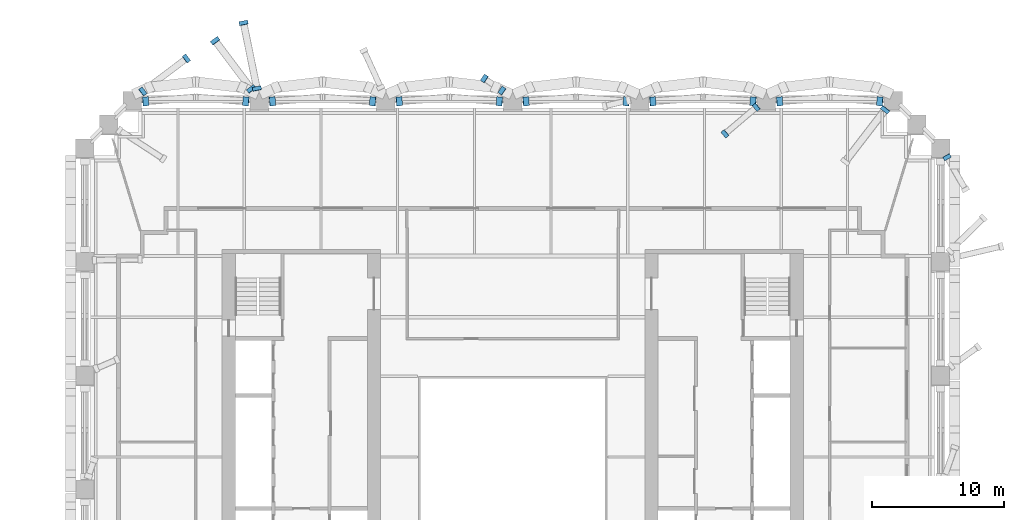
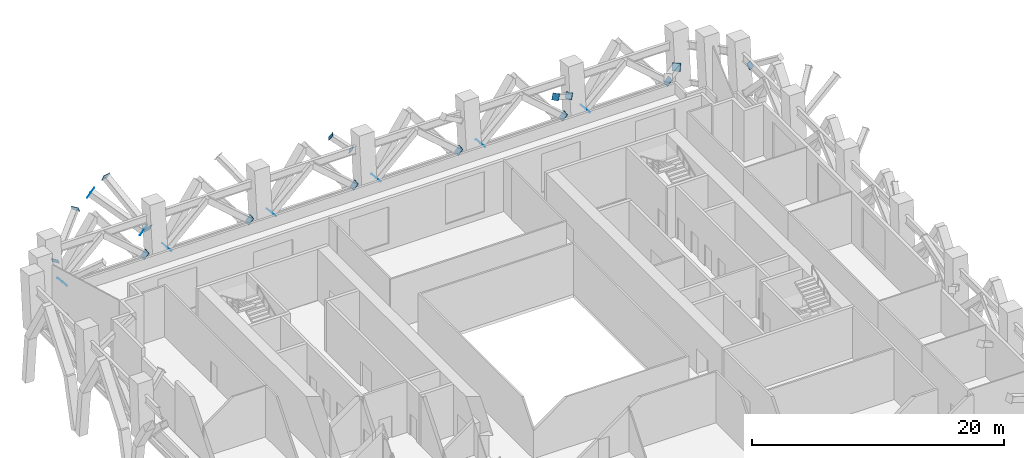
# One storey, part 13 of 19: 24 discrete accessories.
"""IFC4 building model written with IfcOpenShell, lengths in metres."""

from ifc_helpers import new_model, si_unit, direction, frame, origin, origin_2d, place, context, subcontext, project, spatial, rectangle, extrude, material, material_profile, profile_set, type_object, element, save


model = new_model("IFC4")

# Units and contexts
model_context = context("Model", 3, precision=1e-05, world=origin(), true_north=direction((0.0, 1.0)))
body_context = subcontext(model_context, "Body", "Model", "MODEL_VIEW")
ifc_project = project(units=[si_unit("LENGTHUNIT", "METRE"), si_unit("AREAUNIT", "SQUARE_METRE"), si_unit("VOLUMEUNIT", "CUBIC_METRE"), si_unit("PLANEANGLEUNIT", "RADIAN"), si_unit("MASSUNIT", "GRAM", prefix="KILO")], contexts=[model_context])

# Site, building, storey
site_placement = place(None, origin())
site = spatial("IfcSite", under=ifc_project, at=site_placement, CompositionType="ELEMENT")
building_placement = place(site_placement, origin())
building = spatial("IfcBuilding", under=site, at=building_placement, Name="Ogive Exchange Tower", CompositionType="ELEMENT")
storey_placement = place(building_placement, frame((0.0, 0.0, 94.199951171875)))
storey = spatial("IfcBuildingStorey", under=building, at=storey_placement, Name="L20", CompositionType="ELEMENT", Elevation=94.199951171875)

# Discrete accessories
ifc_material = material(Name="Steel ASTM A572 Gr50", Category="steel")
ifc_material_profile_1 = material_profile(ifc_material, rectangle(XDim=0.576904296875, YDim=0.576904296875, at=origin_2d()), Name="PL 577 x 577 x 25")
ifc_profile_set_1 = profile_set([ifc_material_profile_1], Name="Steel ASTM A572 Gr50")
discrete_accessory_type_1 = type_object("IfcDiscreteAccessoryType", Name="Gusset plate 577 x 577 x 25", PredefinedType="USERDEFINED", material=ifc_profile_set_1)
for number, where, z_axis, x_axis, name in (
    (1, (32.875, 32.753173828125, 3.00146484375), (0.418820131593, -0.740240232584, 0.525960165257), (0.870349468157, 0.49243456751, 0.0), "Block-change strut 16 end plate A"),
    (2, (18.447509765625, 36.527099609375, 2.816650390625), (-0.652580205041, -0.545440171377, 0.525960165257), (0.641310134432, -0.767281767981, 0.0), "Block-change strut 18 end plate A"),
    (3, (16.07763671875, 34.5185546875, 4.74267578125), (-0.649110234178, -0.552228109674, 0.523163472322), (0.647978346038, -0.761658757624, 0.0), "Block-change strut 18 end plate B"),
    (4, (-0.802978515625, 37.78271484375, 3.5654296875), (-0.661912172486, 0.457498119219, 0.59377415473), (-0.568580744167, -0.822627459645, 0.0), "Block-change strut 20 end plate A"),
):
    element("IfcDiscreteAccessory", number, at=place(storey_placement, frame(where, z_axis=z_axis, x_axis=x_axis)), inside=storey, type_object=discrete_accessory_type_1, Name=name, ObjectType="GUSSET PLATE", PredefinedType="USERDEFINED", context=body_context, shape_type="SweptSolid", body=[
        extrude(rectangle(XDim=0.576904296875, YDim=0.576904296875, at=origin_2d()), origin(), (0.0, 0.0, 1.0), 0.025146484375),
    ])
discrete_accessory_1_placement = place(storey_placement, frame((-2.142578125, 38.699951171875, 4.750732421875), z_axis=(-0.674109765787, 0.449406510525, 0.586182405032), x_axis=(-0.554700196225, -0.832050294338, 0.0)))
element("IfcDiscreteAccessory", 5, at=discrete_accessory_1_placement, inside=storey, type_object=discrete_accessory_type_1, Name="Block-change strut 20 end plate B", ObjectType="GUSSET PLATE", PredefinedType="USERDEFINED", context=body_context, shape_type="SweptSolid", body=[
    extrude(rectangle(XDim=0.576904296875, YDim=0.576904296875, at=origin_2d()), origin(), (0.0, 0.0, 1.0), 0.02490234375),
])
ifc_material_profile_2 = material_profile(ifc_material, rectangle(XDim=0.6279296875, YDim=0.6279296875, at=origin_2d()), Name="PL 628 x 628 x 25")
ifc_profile_set_2 = profile_set([ifc_material_profile_2], Name="Steel ASTM A572 Gr50")
discrete_accessory_type_2 = type_object("IfcDiscreteAccessoryType", Name="Gusset plate 628 x 628 x 25", PredefinedType="USERDEFINED", material=ifc_profile_set_2)
for number, where, z_axis, x_axis, name in (
    (6, (-28.017578125, 37.7119140625, 2.330078125), (0.685846154529, 0.529081319208, 0.499687912585), (-0.610803454292, 0.791782255563, 0.0), "Block-change strut 23 end plate A"),
    (7, (-24.71484375, 40.20703125, 4.717529296875), (0.694511473604, 0.518438142268, 0.498874438786), (-0.598192606862, 0.801352360136, 0.0), "Block-change strut 23 end plate B"),
):
    element("IfcDiscreteAccessory", number, at=place(storey_placement, frame(where, z_axis=z_axis, x_axis=x_axis)), inside=storey, type_object=discrete_accessory_type_2, Name=name, ObjectType="GUSSET PLATE", PredefinedType="USERDEFINED", context=body_context, shape_type="SweptSolid", body=[
        extrude(rectangle(XDim=0.6279296875, YDim=0.6279296875, at=origin_2d()), origin(), (0.0, 0.0, 1.0), 0.02490234375),
    ])
ifc_material_profile_3 = material_profile(ifc_material, rectangle(XDim=0.678955078125, YDim=0.678955078125, at=origin_2d()), Name="PL 679 x 679 x 25")
ifc_profile_set_3 = profile_set([ifc_material_profile_3], Name="Steel ASTM A572 Gr50")
discrete_accessory_type_3 = type_object("IfcDiscreteAccessoryType", Name="Gusset plate 679 x 679 x 25", PredefinedType="USERDEFINED", material=ifc_profile_set_3)
for number, where, z_axis, x_axis, name in (
    (8, (27.802001953125, 36.9697265625, 0.66796875), (-0.762073496289, 0.058621038176, 0.644831419937), (-0.076696498885, -0.997054485502, 0.0), "Belt truss diagonal 18a end plate A"),
    (9, (20.197998046875, 36.9697265625, 0.66796875), (0.762073496289, 0.058621038176, 0.644831419937), (-0.076696498885, 0.997054485502, 0.0), "Belt truss diagonal 18b end plate A"),
    (10, (18.2021484375, 36.9697265625, 0.66796875), (-0.762073496289, 0.058621038176, 0.644831419937), (-0.076696498885, -0.997054485502, 0.0), "Belt truss diagonal 19a end plate A"),
    (11, (10.597900390625, 36.9697265625, 0.66796875), (0.762073496289, 0.058621038176, 0.644831419937), (-0.076696498885, 0.997054485502, 0.0), "Belt truss diagonal 19b end plate A"),
    (12, (8.60205078125, 36.9697265625, 0.66796875), (-0.762073496289, 0.058621038176, 0.644831419937), (-0.076696498885, -0.997054485502, 0.0), "Belt truss diagonal 20a end plate A"),
):
    element("IfcDiscreteAccessory", number, at=place(storey_placement, frame(where, z_axis=z_axis, x_axis=x_axis)), inside=storey, type_object=discrete_accessory_type_3, Name=name, ObjectType="GUSSET PLATE", PredefinedType="USERDEFINED", context=body_context, shape_type="SweptSolid", body=[
        extrude(rectangle(XDim=0.678955078125, YDim=0.678955078125, at=origin_2d()), origin(), (0.0, 0.0, 1.0), 0.02490234375),
    ])
for number, where, z_axis, x_axis, name in (
    (13, (0.997802734375, 36.9697265625, 0.66796875), (0.766124206155, 0.058186648569, 0.640053134256), (-0.075731260606, 0.997128264652, 0.0), "Belt truss diagonal 20b end plate A"),
    (14, (-0.997802734375, 36.9697265625, 0.66796875), (-0.766124206155, 0.058186648569, 0.640053134256), (-0.075731260606, -0.997128264652, 0.0), "Belt truss diagonal 21a end plate A"),
):
    element("IfcDiscreteAccessory", number, at=place(storey_placement, frame(where, z_axis=z_axis, x_axis=x_axis)), inside=storey, type_object=discrete_accessory_type_3, Name=name, ObjectType="GUSSET PLATE", PredefinedType="USERDEFINED", context=body_context, shape_type="SweptSolid", body=[
        extrude(rectangle(XDim=0.678955078125, YDim=0.678955078125, at=origin_2d()), origin(), (0.0, 0.0, 1.0), 0.025146484375),
    ])
for number, where, z_axis, x_axis, name in (
    (15, (-8.60205078125, 36.9697265625, 0.66796875), (0.762073496289, 0.058621038176, 0.644831419937), (-0.076696498885, 0.997054485502, 0.0), "Belt truss diagonal 21b end plate A"),
    (16, (-10.597900390625, 36.9697265625, 0.66796875), (-0.762073496289, 0.058621038176, 0.644831419937), (-0.076696498885, -0.997054485502, 0.0), "Belt truss diagonal 22a end plate A"),
    (17, (-18.2021484375, 36.9697265625, 0.66796875), (0.762073496289, 0.058621038176, 0.644831419937), (-0.076696498885, 0.997054485502, 0.0), "Belt truss diagonal 22b end plate A"),
    (18, (-20.197998046875, 36.9697265625, 0.66796875), (-0.762073496289, 0.058621038176, 0.644831419937), (-0.076696498885, -0.997054485502, 0.0), "Belt truss diagonal 23a end plate A"),
    (19, (-27.802001953125, 36.9697265625, 0.66796875), (0.762073496289, 0.058621038176, 0.644831419937), (-0.076696498885, 0.997054485502, 0.0), "Belt truss diagonal 23b end plate A"),
    (20, (28.201416015625, 36.33984375, 2.29833984375), (-0.546764466904, -0.712746537214, 0.439364303762), (0.793431391307, -0.608659697441, 0.0), "Block-change strut 17 end plate A"),
    (21, (-19.364501953125, 37.9267578125, 2.29736328125), (-0.185500531131, 0.888449912259, 0.419816991507), (-0.97889083263, -0.20438380022, 0.0), "Block-change strut 22 end plate A"),
):
    element("IfcDiscreteAccessory", number, at=place(storey_placement, frame(where, z_axis=z_axis, x_axis=x_axis)), inside=storey, type_object=discrete_accessory_type_3, Name=name, ObjectType="GUSSET PLATE", PredefinedType="USERDEFINED", context=body_context, shape_type="SweptSolid", body=[
        extrude(rectangle(XDim=0.678955078125, YDim=0.678955078125, at=origin_2d()), origin(), (0.0, 0.0, 1.0), 0.02490234375),
    ])
discrete_accessory_2_placement = place(storey_placement, frame((-20.37548828125, 42.895751953125, 4.6865234375), z_axis=(-0.184736120717, 0.884788788698, 0.427809963766), x_axis=(-0.97889083263, -0.20438380022, 0.0)))
element("IfcDiscreteAccessory", 22, at=discrete_accessory_2_placement, inside=storey, type_object=discrete_accessory_type_3, Name="Block-change strut 22 end plate B", ObjectType="GUSSET PLATE", PredefinedType="USERDEFINED", context=body_context, shape_type="SweptSolid", body=[
    extrude(rectangle(XDim=0.678955078125, YDim=0.678955078125, at=origin_2d()), origin(), (0.0, 0.0, 1.0), 0.025146484375),
])
for number, where, z_axis, x_axis, name in (
    (23, (-19.7880859375, 37.90234375, 2.302490234375), (-0.538853257907, 0.70540790126, 0.460474602212), (-0.794671007392, -0.607040352869, 0.0), "Block-change strut 33 end plate A"),
    (24, (-22.525634765625, 41.55126953125, 4.69091796875), (-0.52814419653, 0.713972710124, 0.459681059943), (-0.803947205831, -0.594700672807, 0.0), "Block-change strut 33 end plate B"),
):
    element("IfcDiscreteAccessory", number, at=place(storey_placement, frame(where, z_axis=z_axis, x_axis=x_axis)), inside=storey, type_object=discrete_accessory_type_3, Name=name, ObjectType="GUSSET PLATE", PredefinedType="USERDEFINED", context=body_context, shape_type="SweptSolid", body=[
        extrude(rectangle(XDim=0.678955078125, YDim=0.678955078125, at=origin_2d()), origin(), (0.0, 0.0, 1.0), 0.02490234375),
    ])

save(model, "model.ifc")
